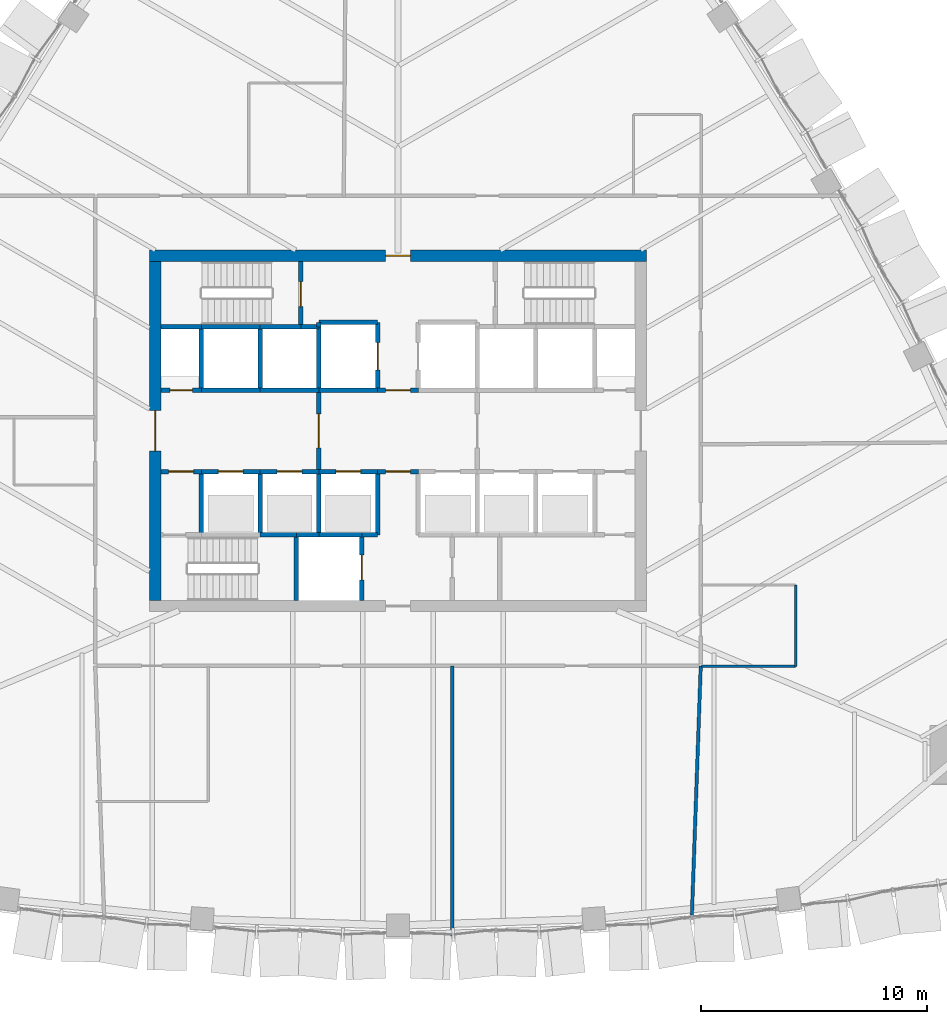
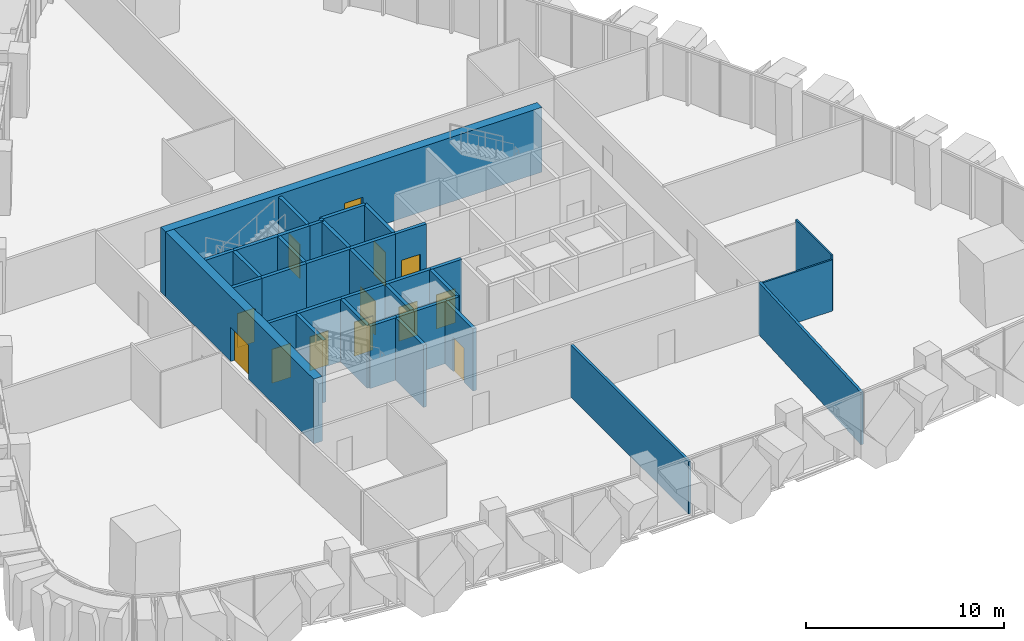
# One storey, part 12 of 18: 38 walls, 13 doors, 13 openings.
"""IFC4 building model written with IfcOpenShell, lengths in metres."""

import ifcopenshell
import ifcopenshell.guid

model = None  # the IFC model being written
_history = None  # IfcOwnerHistory: only IFC2X3 demands one
_inside = {}  # id of a spatial element -> (the spatial element, [elements in it])
_under = {}  # id of a project, library or spatial element -> (it, [spatial elements below it])
_declared = {}  # id of a project -> (the project, [libraries it declares])
_typed = {}  # id of a type object -> (the type object, [elements of that type])
_made_of = {}  # id of a material, layer set ... -> (it, [elements and type objects made of it])


def new_model(schema):
    """Start an empty IFC model of exactly this schema.

    Asked for "IFC4X3", IfcOpenShell would pick the latest addendum, in which some entities
    have other attributes; the version numbers below select the first issue.
    IFC2X3 requires an IfcOwnerHistory on every rooted entity: one is made here for all.
    """
    global model, _history
    if schema == "IFC4X3":
        model = ifcopenshell.file(schema_version=(4, 3, 0, 0))
    else:
        model = ifcopenshell.file(schema=schema)
    _inside.clear()
    _under.clear()
    _declared.clear()
    _typed.clear()
    _made_of.clear()
    _history = None
    if model.schema == "IFC2X3":
        org = make("IfcOrganization", Name="unknown")
        user = make(
            "IfcPersonAndOrganization",
            ThePerson=make("IfcPerson", FamilyName="unknown"),
            TheOrganization=org,
        )
        app = make(
            "IfcApplication",
            ApplicationDeveloper=org,
            Version="unknown",
            ApplicationFullName="unknown",
            ApplicationIdentifier="unknown",
        )
        _history = make(
            "IfcOwnerHistory",
            OwningUser=user,
            OwningApplication=app,
            ChangeAction="ADDED",
            CreationDate=0,
        )
    return model


def make(cls, **values):
    """One entity of the class cls with the attributes given. An attribute that is None is left unset."""
    return model.create_entity(
        cls, **{name: value for name, value in values.items() if value is not None}
    )


def rooted(cls, **values):
    """An entity with a GlobalId (a new one), such as an element, a storey or a relation."""
    return make(cls, GlobalId=ifcopenshell.guid.new(), OwnerHistory=_history, **values)


def si_unit(unit_type, name, prefix=None):
    """IfcSIUnit, for example si_unit("LENGTHUNIT", "METRE", prefix="MILLI")."""
    return make("IfcSIUnit", UnitType=unit_type, Prefix=prefix, Name=name)


def assignment(units):
    """IfcUnitAssignment: the units of a project."""
    return None if units is None else make("IfcUnitAssignment", Units=units)


def point(xyz):
    """IfcCartesianPoint."""
    return None if xyz is None else make("IfcCartesianPoint", Coordinates=xyz)


def direction(xyz):
    """IfcDirection."""
    return None if xyz is None else make("IfcDirection", DirectionRatios=xyz)


def frame(location, z_axis=None, x_axis=None):
    """IfcAxis2Placement3D, a coordinate frame: its origin and axes. An axis left out is left unset."""
    return make(
        "IfcAxis2Placement3D",
        Location=point(location),
        Axis=direction(z_axis),
        RefDirection=direction(x_axis),
    )


def frame_2d(location, x_axis=None):
    """IfcAxis2Placement2D, a coordinate frame in the plane: its origin and x axis."""
    return make(
        "IfcAxis2Placement2D", Location=point(location), RefDirection=direction(x_axis)
    )


def origin():
    """The frame at (0, 0, 0) with its axes left unset."""
    return frame((0.0, 0.0, 0.0))


def place(relative_to, where):
    """IfcLocalPlacement: puts the frame where relative to a parent placement (None: the world)."""
    return make(
        "IfcLocalPlacement", PlacementRelTo=relative_to, RelativePlacement=where
    )


def context(
    kind, dimensions, precision=None, world=None, true_north=None, identifier=None
):
    """IfcGeometricRepresentationContext, for example the 3D "Model" context."""
    return make(
        "IfcGeometricRepresentationContext",
        ContextIdentifier=identifier,
        ContextType=kind,
        CoordinateSpaceDimension=dimensions,
        Precision=precision,
        WorldCoordinateSystem=world,
        TrueNorth=true_north,
    )


def subcontext(parent, identifier, kind, view, scale=None):
    """IfcGeometricRepresentationSubContext, for example "Body" below "Model"."""
    return make(
        "IfcGeometricRepresentationSubContext",
        ContextIdentifier=identifier,
        ContextType=kind,
        ParentContext=parent,
        TargetScale=scale,
        TargetView=view,
    )


def project(units=None, contexts=None):
    """IfcProject with its units and contexts."""
    return rooted(
        "IfcProject",
        Name="project",
        RepresentationContexts=contexts,
        UnitsInContext=assignment(units),
    )


def spatial(cls, under=None, at=None, **own):
    """A site, building, storey or space (cls), placed at a placement, below another one or the project."""
    s = rooted(cls, ObjectPlacement=at, **own)
    if under is not None:
        _under.setdefault(under.id(), (under, []))[1].append(s)
    return s


def profile(cls, at=None, kind="AREA", **sizes):
    """A parametric profile (cls). Its sizes go by their IFC names, for example OverallWidth=200.0."""
    return make(cls, ProfileType=kind, Position=at, **sizes)


def rectangle(**sizes):
    """IfcRectangleProfileDef."""
    return profile("IfcRectangleProfileDef", **sizes)


def extrude(swept, where, along, depth):
    """IfcExtrudedAreaSolid: the profile swept, set in the frame where, extruded along a direction by depth."""
    return make(
        "IfcExtrudedAreaSolid",
        SweptArea=swept,
        Position=where,
        ExtrudedDirection=direction(along),
        Depth=depth,
    )


def shape(context_of_items, identifier, shape_type, items):
    """IfcShapeRepresentation: the items that make up one representation, for example the "Body"."""
    return make(
        "IfcShapeRepresentation",
        ContextOfItems=context_of_items,
        RepresentationIdentifier=identifier,
        RepresentationType=shape_type,
        Items=items,
    )


def material(Name=None, Category=None):
    """IfcMaterial."""
    return make("IfcMaterial", Name=Name, Category=Category)


def layer(
    of_material, thickness, ventilated=None, Name=None, Category=None, Priority=None
):
    """IfcMaterialLayer: one layer of a wall or slab, of a material (None: an air gap)."""
    return make(
        "IfcMaterialLayer",
        Material=of_material,
        LayerThickness=thickness,
        IsVentilated=ventilated,
        Name=Name,
        Category=Category,
        Priority=Priority,
    )


def layer_set(layers, Name=None):
    """IfcMaterialLayerSet."""
    return make("IfcMaterialLayerSet", MaterialLayers=layers, LayerSetName=Name)


def made_of(thing, what):
    """Note that an element or type object is made of a material, layer set ...; save() writes the relation."""
    if what is not None:
        _made_of.setdefault(what.id(), (what, []))[1].append(thing)
    return thing


def type_object(cls, material=None, **own):
    """A type object (cls), such as IfcWallType, which elements share."""
    return made_of(rooted(cls, **own), material)


def element(
    cls,
    number,
    at=None,
    inside=None,
    cuts=None,
    type_object=None,
    material=None,
    context=None,
    identifier="Body",
    shape_type=None,
    held_by="IfcProductDefinitionShape",
    body=None,
    shapes=None,
    **own,
):
    """One element of the class cls, such as IfcWall. Its Tag is "e" and its number.

    at: its placement. inside: the storey or other place that contains it. cuts: it is an
    opening in that element (IfcRelVoidsElement). A single representation is given by context,
    identifier, shape_type and body (its items); several are given by shapes. held_by: the class
    of the entity that holds the representations. save() writes the other relations.
    """
    e = rooted(cls, Tag="e%d" % number, ObjectPlacement=at, **own)
    if body is not None:
        shapes = [shape(context, identifier, shape_type, body)]
    if shapes is not None:
        e.Representation = make(held_by, Representations=shapes)
    if inside is not None:
        _inside.setdefault(inside.id(), (inside, []))[1].append(e)
    if cuts is not None:
        rooted(
            "IfcRelVoidsElement", RelatingBuildingElement=cuts, RelatedOpeningElement=e
        )
    if type_object is not None:
        _typed.setdefault(type_object.id(), (type_object, []))[1].append(e)
    return made_of(e, material)


def fill(opening, filler):
    """IfcRelFillsElement: the door or window that sits in an opening."""
    return rooted(
        "IfcRelFillsElement",
        RelatingOpeningElement=opening,
        RelatedBuildingElement=filler,
    )


def aggregate(whole, parts):
    """IfcRelAggregates: a whole, such as a stair, and the parts it consists of."""
    return rooted("IfcRelAggregates", RelatingObject=whole, RelatedObjects=parts)


def save(model, path):
    """Write the relations noted so far, then the file.

    IfcRelAggregates (storeys below a building ...), IfcRelContainedInSpatialStructure (elements
    in a storey), IfcRelDefinesByType, IfcRelAssociatesMaterial and IfcRelDeclares: one each for
    every whole, place, type object, material and project.
    """
    for whole, parts in _under.values():
        aggregate(whole, parts)
    for where, things in _inside.values():
        rooted(
            "IfcRelContainedInSpatialStructure",
            RelatedElements=things,
            RelatingStructure=where,
        )
    for kind, things in _typed.values():
        rooted("IfcRelDefinesByType", RelatedObjects=things, RelatingType=kind)
    for what, things in _made_of.values():
        rooted("IfcRelAssociatesMaterial", RelatedObjects=things, RelatingMaterial=what)
    for by, libraries in _declared.values():
        rooted("IfcRelDeclares", RelatingContext=by, RelatedDefinitions=libraries)
    model.write(path)


model = new_model("IFC4")

# Units and contexts
model_context = context("Model", 3, precision=1e-05, world=origin(), true_north=direction((0.0, 1.0)))
body_context = subcontext(model_context, "Body", "Model", "MODEL_VIEW")
ifc_project = project(units=[si_unit("LENGTHUNIT", "METRE"), si_unit("AREAUNIT", "SQUARE_METRE"), si_unit("VOLUMEUNIT", "CUBIC_METRE"), si_unit("PLANEANGLEUNIT", "RADIAN"), si_unit("MASSUNIT", "GRAM", prefix="KILO")], contexts=[model_context])

# Site, building, storey
site_placement = place(None, origin())
site = spatial("IfcSite", under=ifc_project, at=site_placement, CompositionType="ELEMENT")
building_placement = place(site_placement, origin())
building = spatial("IfcBuilding", under=site, at=building_placement, Name="Sierra Prisma Convention Tower", CompositionType="ELEMENT")
storey_placement = place(building_placement, frame((0.0, 0.0, 133.800048828125)))
storey = spatial("IfcBuildingStorey", under=building, at=storey_placement, Name="L28", CompositionType="ELEMENT", Elevation=133.800048828125)

# Walls
ifc_material_1 = material(Name="Gypsum board partition", Category="gypsum")
ifc_layer_1 = layer(ifc_material_1, 0.10009765625)
ifc_layer_set_1 = layer_set([ifc_layer_1], Name="Bathroom partition 100")
wall_type_1 = type_object("IfcWallType", Name="Bathroom partition 100", PredefinedType="PARTITIONING", material=ifc_layer_set_1)
wall_1_placement = place(storey_placement, frame((17.60009765625, -6.820068359375, 0.0), z_axis=(0.0, 0.0, 1.0), x_axis=(0.0, -1.0, 0.0)))
element("IfcWall", 1, at=wall_1_placement, inside=storey, type_object=wall_type_1, Name="Partition L28 bath 11", PredefinedType="PARTITIONING", context=body_context, shape_type="SweptSolid", body=[
    extrude(rectangle(XDim=3.599853515625, YDim=0.10009765625, at=frame_2d((1.7998046875, 0.0))), origin(), (0.0, 0.0, 1.0), 3.449951171875),
])
wall_2_placement = place(storey_placement, frame((17.60009765625, -10.419921875, 0.0), z_axis=(0.0, 0.0, 1.0), x_axis=(-1.0, 0.0, 0.0)))
element("IfcWall", 2, at=wall_2_placement, inside=storey, type_object=wall_type_1, Name="Partition L28 bath 12", PredefinedType="PARTITIONING", context=body_context, shape_type="SweptSolid", body=[
    extrude(rectangle(XDim=4.170166015625, YDim=0.10009765625, at=frame_2d((2.0849609375, 0.0))), origin(), (0.0, 0.0, 1.0), 3.166015625),
])

# Wall, opening, door
ifc_material_2 = material(Name="Concrete C30/37", Category="concrete")
ifc_layer_2 = layer(ifc_material_2, 0.199951171875)
ifc_layer_set_2 = layer_set([ifc_layer_2], Name="Core wall RC 200 C30/37")
wall_type_2 = type_object("IfcWallType", Name="Core wall RC 200 C30/37", PredefinedType="SOLIDWALL", material=ifc_layer_set_2)
wall_3_placement = place(storey_placement, frame((-10.5, -1.800048828125, 0.0), z_axis=(0.0, 0.0, 1.0), x_axis=(1.0, 0.0, 0.0)))
wall_3 = element("IfcWall", 3, at=wall_3_placement, inside=storey, type_object=wall_type_2, Name="Core wall L28 2", PredefinedType="SOLIDWALL", context=body_context, shape_type="SweptSolid", body=[
    extrude(rectangle(XDim=1.800048828125, YDim=0.199951171875, at=frame_2d((0.89990234375, 0.0))), origin(), (0.0, 0.0, 1.0), 3.849853515625),
])
opening_1_placement = place(wall_3_placement, frame((0.35009765625, 0.0, 0.0)))
opening_1 = element("IfcOpeningElement", 4, at=opening_1_placement, cuts=wall_3, Name="Opening L28-D012", PredefinedType="OPENING", context=body_context, shape_type="SweptSolid", body=[
    extrude(rectangle(XDim=1.10009765625, YDim=2.10009765625, at=frame_2d((0.550048828125, 1.050048828125))), frame((0.0, 0.10009765625, 0.0), z_axis=(0.0, -1.0, 0.0), x_axis=(1.0, 0.0, 0.0)), (0.0, 0.0, 1.0), 0.199951171875),
])
ifc_material_3 = material(Name="Steel fire door leaf", Category="steel")
door_type_1 = type_object("IfcDoorType", Name="Door 1100x2100 FD90S", OperationType="SINGLE_SWING_LEFT", PredefinedType="DOOR", material=ifc_material_3)
door_1_placement = place(opening_1_placement, origin())
door_1 = element("IfcDoor", 5, at=door_1_placement, inside=storey, type_object=door_type_1, Name="Door L28 25", OperationType="SINGLE_SWING_LEFT", OverallHeight=2.10009765625, OverallWidth=1.10009765625, PredefinedType="DOOR", context=body_context, shape_type="SweptSolid", body=[
    extrude(rectangle(XDim=1.10009765625, YDim=2.10009765625, at=frame_2d((0.550048828125, 1.050048828125))), frame((0.0, 0.02490234375, 0.0), z_axis=(0.0, -1.0, 0.0), x_axis=(1.0, 0.0, 0.0)), (0.0, 0.0, 1.0), 0.050048828125),
])
fill(opening_1, door_1)

wall_4_placement = place(storey_placement, frame((-8.699951171875, 1.800048828125, 0.0), z_axis=(0.0, 0.0, 1.0), x_axis=(-1.0, 0.0, 0.0)))
wall_4 = element("IfcWall", 6, at=wall_4_placement, inside=storey, type_object=wall_type_2, Name="Core wall L28 3", PredefinedType="SOLIDWALL", context=body_context, shape_type="SweptSolid", body=[
    extrude(rectangle(XDim=1.800048828125, YDim=0.199951171875, at=frame_2d((0.89990234375, 0.0))), origin(), (0.0, 0.0, 1.0), 3.849853515625),
])
opening_2_placement = place(wall_4_placement, frame((0.39990234375, 0.0, 0.0)))
opening_2 = element("IfcOpeningElement", 7, at=opening_2_placement, cuts=wall_4, Name="Opening L28-D015", PredefinedType="OPENING", context=body_context, shape_type="SweptSolid", body=[
    extrude(rectangle(XDim=1.0, YDim=2.10009765625, at=frame_2d((0.5, 1.050048828125))), frame((0.0, 0.10009765625, 0.0), z_axis=(0.0, -1.0, 0.0), x_axis=(1.0, 0.0, 0.0)), (0.0, 0.0, 1.0), 0.199951171875),
])
ifc_material_4 = material(Name="Steel fire door leaf", Category="steel")
door_type_2 = type_object("IfcDoorType", Name="Door 1000x2100 FD60S", OperationType="SINGLE_SWING_LEFT", PredefinedType="DOOR", material=ifc_material_4)
door_2_placement = place(opening_2_placement, origin())
door_2 = element("IfcDoor", 8, at=door_2_placement, inside=storey, type_object=door_type_2, Name="Door L28 28", OperationType="SINGLE_SWING_LEFT", OverallHeight=2.10009765625, OverallWidth=1.0, PredefinedType="DOOR", context=body_context, shape_type="SweptSolid", body=[
    extrude(rectangle(XDim=1.0, YDim=2.10009765625, at=frame_2d((0.5, 1.050048828125))), frame((0.0, 0.02490234375, 0.0), z_axis=(0.0, -1.0, 0.0), x_axis=(1.0, 0.0, 0.0)), (0.0, 0.0, 1.0), 0.050048828125),
])
fill(opening_2, door_2)

# Walls
wall_5_placement = place(storey_placement, frame((-8.699951171875, 4.60009765625, 0.0), z_axis=(0.0, 0.0, 1.0), x_axis=(-1.0, 0.0, 0.0)))
element("IfcWall", 9, at=wall_5_placement, inside=storey, type_object=wall_type_2, Name="Core wall L28 4", PredefinedType="SOLIDWALL", context=body_context, shape_type="SweptSolid", body=[
    extrude(rectangle(XDim=1.800048828125, YDim=0.199951171875, at=frame_2d((0.89990234375, 0.0))), origin(), (0.0, 0.0, 1.0), 3.849853515625),
])
wall_6_placement = place(storey_placement, frame((-8.699951171875, -4.60009765625, 0.0), z_axis=(0.0, 0.0, 1.0), x_axis=(0.0, 1.0, 0.0)))
element("IfcWall", 10, at=wall_6_placement, inside=storey, type_object=wall_type_2, Name="Core wall L28 6", PredefinedType="SOLIDWALL", context=body_context, shape_type="SweptSolid", body=[
    extrude(rectangle(XDim=2.800048828125, YDim=0.199951171875, at=frame_2d((1.39990234375, 0.0))), origin(), (0.0, 0.0, 1.0), 3.849853515625),
])

# Wall, opening, door
wall_7_placement = place(storey_placement, frame((-8.699951171875, -1.800048828125, 0.0), z_axis=(0.0, 0.0, 1.0), x_axis=(1.0, 0.0, 0.0)))
wall_7 = element("IfcWall", 11, at=wall_7_placement, inside=storey, type_object=wall_type_2, Name="Core wall L28 7", PredefinedType="SOLIDWALL", context=body_context, shape_type="SweptSolid", body=[
    extrude(rectangle(XDim=2.599853515625, YDim=0.199951171875, at=frame_2d((1.2998046875, 0.0))), origin(), (0.0, 0.0, 1.0), 3.849853515625),
])
opening_3_placement = place(wall_7_placement, frame((0.75, 0.0, 0.0)))
opening_3 = element("IfcOpeningElement", 12, at=opening_3_placement, cuts=wall_7, Name="Opening L28-D001", PredefinedType="OPENING", context=body_context, shape_type="SweptSolid", body=[
    extrude(rectangle(XDim=1.10009765625, YDim=2.10009765625, at=frame_2d((0.550048828125, 1.050048828125))), frame((0.0, 0.10009765625, 0.0), z_axis=(0.0, -1.0, 0.0), x_axis=(1.0, 0.0, 0.0)), (0.0, 0.0, 1.0), 0.199951171875),
])
ifc_material_5 = material(Name="Steel fire door leaf", Category="steel")
door_type_3 = type_object("IfcDoorType", Name="Door 1100x2100 EI 90 sliding lift landing", OperationType="SLIDING_TO_LEFT", PredefinedType="DOOR", material=ifc_material_5)
door_3_placement = place(opening_3_placement, origin())
door_3 = element("IfcDoor", 13, at=door_3_placement, inside=storey, type_object=door_type_3, Name="Door L28 14", OperationType="SLIDING_TO_RIGHT", OverallHeight=2.10009765625, OverallWidth=1.10009765625, PredefinedType="DOOR", context=body_context, shape_type="SweptSolid", body=[
    extrude(rectangle(XDim=1.10009765625, YDim=2.10009765625, at=frame_2d((0.550048828125, 1.050048828125))), frame((0.0, 0.02490234375, 0.0), z_axis=(0.0, -1.0, 0.0), x_axis=(1.0, 0.0, 0.0)), (0.0, 0.0, 1.0), 0.050048828125),
])
fill(opening_3, door_3)

# Walls
wall_8_placement = place(storey_placement, frame((-6.10009765625, 1.800048828125, 0.0), z_axis=(0.0, 0.0, 1.0), x_axis=(-1.0, 0.0, 0.0)))
element("IfcWall", 14, at=wall_8_placement, inside=storey, type_object=wall_type_2, Name="Core wall L28 8", PredefinedType="SOLIDWALL", context=body_context, shape_type="SweptSolid", body=[
    extrude(rectangle(XDim=2.599853515625, YDim=0.199951171875, at=frame_2d((1.2998046875, 0.0))), origin(), (0.0, 0.0, 1.0), 3.849853515625),
])
wall_9_placement = place(storey_placement, frame((-8.699951171875, 1.800048828125, 0.0), z_axis=(0.0, 0.0, 1.0), x_axis=(0.0, 1.0, 0.0)))
element("IfcWall", 15, at=wall_9_placement, inside=storey, type_object=wall_type_2, Name="Core wall L28 9", PredefinedType="SOLIDWALL", context=body_context, shape_type="SweptSolid", body=[
    extrude(rectangle(XDim=2.800048828125, YDim=0.199951171875, at=frame_2d((1.39990234375, 0.0))), origin(), (0.0, 0.0, 1.0), 3.849853515625),
])
wall_10_placement = place(storey_placement, frame((-6.10009765625, 4.60009765625, 0.0), z_axis=(0.0, 0.0, 1.0), x_axis=(-1.0, 0.0, 0.0)))
element("IfcWall", 16, at=wall_10_placement, inside=storey, type_object=wall_type_2, Name="Core wall L28 10", PredefinedType="SOLIDWALL", context=body_context, shape_type="SweptSolid", body=[
    extrude(rectangle(XDim=2.599853515625, YDim=0.199951171875, at=frame_2d((1.2998046875, 0.0))), origin(), (0.0, 0.0, 1.0), 3.849853515625),
])
wall_11_placement = place(storey_placement, frame((-6.10009765625, -4.60009765625, 0.0), z_axis=(0.0, 0.0, 1.0), x_axis=(1.0, 0.0, 0.0)))
element("IfcWall", 17, at=wall_11_placement, inside=storey, type_object=wall_type_2, Name="Core wall L28 11", PredefinedType="SOLIDWALL", context=body_context, shape_type="SweptSolid", body=[
    extrude(rectangle(XDim=1.60009765625, YDim=0.199951171875, at=frame_2d((0.800048828125, 0.0))), origin(), (0.0, 0.0, 1.0), 3.849853515625),
])
wall_12_placement = place(storey_placement, frame((-6.10009765625, -4.60009765625, 0.0), z_axis=(0.0, 0.0, 1.0), x_axis=(0.0, 1.0, 0.0)))
element("IfcWall", 18, at=wall_12_placement, inside=storey, type_object=wall_type_2, Name="Core wall L28 12", PredefinedType="SOLIDWALL", context=body_context, shape_type="SweptSolid", body=[
    extrude(rectangle(XDim=2.800048828125, YDim=0.199951171875, at=frame_2d((1.39990234375, 0.0))), origin(), (0.0, 0.0, 1.0), 3.849853515625),
])

# Wall, opening, door
wall_13_placement = place(storey_placement, frame((-6.10009765625, -1.800048828125, 0.0), z_axis=(0.0, 0.0, 1.0), x_axis=(1.0, 0.0, 0.0)))
wall_13 = element("IfcWall", 19, at=wall_13_placement, inside=storey, type_object=wall_type_2, Name="Core wall L28 13", PredefinedType="SOLIDWALL", context=body_context, shape_type="SweptSolid", body=[
    extrude(rectangle(XDim=2.60009765625, YDim=0.199951171875, at=frame_2d((1.300048828125, 0.0))), origin(), (0.0, 0.0, 1.0), 3.849853515625),
])
opening_4_placement = place(wall_13_placement, frame((0.75, 0.0, 0.0)))
opening_4 = element("IfcOpeningElement", 20, at=opening_4_placement, cuts=wall_13, Name="Opening L28-D002", PredefinedType="OPENING", context=body_context, shape_type="SweptSolid", body=[
    extrude(rectangle(XDim=1.10009765625, YDim=2.10009765625, at=frame_2d((0.550048828125, 1.050048828125))), frame((0.0, 0.10009765625, 0.0), z_axis=(0.0, -1.0, 0.0), x_axis=(1.0, 0.0, 0.0)), (0.0, 0.0, 1.0), 0.199951171875),
])
door_4_placement = place(opening_4_placement, origin())
door_4 = element("IfcDoor", 21, at=door_4_placement, inside=storey, type_object=door_type_3, Name="Door L28 15", OperationType="SLIDING_TO_LEFT", OverallHeight=2.10009765625, OverallWidth=1.10009765625, PredefinedType="DOOR", context=body_context, shape_type="SweptSolid", body=[
    extrude(rectangle(XDim=1.10009765625, YDim=2.10009765625, at=frame_2d((0.550048828125, 1.050048828125))), frame((0.0, 0.02490234375, 0.0), z_axis=(0.0, -1.0, 0.0), x_axis=(1.0, 0.0, 0.0)), (0.0, 0.0, 1.0), 0.050048828125),
])
fill(opening_4, door_4)

# Walls
wall_14_placement = place(storey_placement, frame((-3.5, 1.800048828125, 0.0), z_axis=(0.0, 0.0, 1.0), x_axis=(-1.0, 0.0, 0.0)))
element("IfcWall", 22, at=wall_14_placement, inside=storey, type_object=wall_type_2, Name="Core wall L28 14", PredefinedType="SOLIDWALL", context=body_context, shape_type="SweptSolid", body=[
    extrude(rectangle(XDim=2.60009765625, YDim=0.199951171875, at=frame_2d((1.300048828125, 0.0))), origin(), (0.0, 0.0, 1.0), 3.849853515625),
])
wall_15_placement = place(storey_placement, frame((-6.10009765625, 1.800048828125, 0.0), z_axis=(0.0, 0.0, 1.0), x_axis=(0.0, 1.0, 0.0)))
element("IfcWall", 23, at=wall_15_placement, inside=storey, type_object=wall_type_2, Name="Core wall L28 15", PredefinedType="SOLIDWALL", context=body_context, shape_type="SweptSolid", body=[
    extrude(rectangle(XDim=2.800048828125, YDim=0.199951171875, at=frame_2d((1.39990234375, 0.0))), origin(), (0.0, 0.0, 1.0), 3.849853515625),
])
wall_16_placement = place(storey_placement, frame((-4.300048828125, 4.60009765625, 0.0), z_axis=(0.0, 0.0, 1.0), x_axis=(-1.0, 0.0, 0.0)))
element("IfcWall", 24, at=wall_16_placement, inside=storey, type_object=wall_type_2, Name="Core wall L28 16", PredefinedType="SOLIDWALL", context=body_context, shape_type="SweptSolid", body=[
    extrude(rectangle(XDim=1.800048828125, YDim=0.199951171875, at=frame_2d((0.89990234375, 0.0))), origin(), (0.0, 0.0, 1.0), 3.849853515625),
])
wall_17_placement = place(storey_placement, frame((-4.5, -4.60009765625, 0.0), z_axis=(0.0, 0.0, 1.0), x_axis=(0.0, -1.0, 0.0)))
element("IfcWall", 25, at=wall_17_placement, inside=storey, type_object=wall_type_2, Name="Core wall L28 17", PredefinedType="SOLIDWALL", context=body_context, shape_type="SweptSolid", body=[
    extrude(rectangle(XDim=2.89990234375, YDim=0.199951171875, at=frame_2d((1.449951171875, 0.0))), origin(), (0.0, 0.0, 1.0), 3.849853515625),
])
wall_18_placement = place(storey_placement, frame((-4.5, -4.60009765625, 0.0), z_axis=(0.0, 0.0, 1.0), x_axis=(1.0, 0.0, 0.0)))
element("IfcWall", 26, at=wall_18_placement, inside=storey, type_object=wall_type_2, Name="Core wall L28 18", PredefinedType="SOLIDWALL", context=body_context, shape_type="SweptSolid", body=[
    extrude(rectangle(XDim=1.0, YDim=0.199951171875, at=frame_2d((0.5, 0.0))), origin(), (0.0, 0.0, 1.0), 3.849853515625),
])
wall_19_placement = place(storey_placement, frame((-3.5, 4.60009765625, 0.0), z_axis=(0.0, 0.0, 1.0), x_axis=(-1.0, 0.0, 0.0)))
element("IfcWall", 27, at=wall_19_placement, inside=storey, type_object=wall_type_2, Name="Core wall L28 19", PredefinedType="SOLIDWALL", context=body_context, shape_type="SweptSolid", body=[
    extrude(rectangle(XDim=0.800048828125, YDim=0.199951171875, at=frame_2d((0.39990234375, 0.0))), origin(), (0.0, 0.0, 1.0), 3.849853515625),
])

# Wall, opening, door
wall_20_placement = place(storey_placement, frame((-4.300048828125, 4.60009765625, 0.0), z_axis=(0.0, 0.0, 1.0), x_axis=(0.0, 1.0, 0.0)))
wall_20 = element("IfcWall", 28, at=wall_20_placement, inside=storey, type_object=wall_type_2, Name="Core wall L28 20", PredefinedType="SOLIDWALL", context=body_context, shape_type="SweptSolid", body=[
    extrude(rectangle(XDim=2.89990234375, YDim=0.199951171875, at=frame_2d((1.449951171875, 0.0))), origin(), (0.0, 0.0, 1.0), 3.849853515625),
])
opening_5_placement = place(wall_20_placement, frame((0.89990234375, 0.0, 0.0)))
opening_5 = element("IfcOpeningElement", 29, at=opening_5_placement, cuts=wall_20, Name="Opening L28-D018", PredefinedType="OPENING", context=body_context, shape_type="SweptSolid", body=[
    extrude(rectangle(XDim=1.10009765625, YDim=2.10009765625, at=frame_2d((0.550048828125, 1.050048828125))), frame((0.0, 0.10009765625, 0.0), z_axis=(0.0, -1.0, 0.0), x_axis=(1.0, 0.0, 0.0)), (0.0, 0.0, 1.0), 0.199951171875),
])
door_5_placement = place(opening_5_placement, origin())
door_5 = element("IfcDoor", 30, at=door_5_placement, inside=storey, type_object=door_type_1, Name="Door L28 31", OperationType="SINGLE_SWING_RIGHT", OverallHeight=2.10009765625, OverallWidth=1.10009765625, PredefinedType="DOOR", context=body_context, shape_type="SweptSolid", body=[
    extrude(rectangle(XDim=1.10009765625, YDim=2.10009765625, at=frame_2d((0.550048828125, 1.050048828125))), frame((0.0, 0.02490234375, 0.0), z_axis=(0.0, -1.0, 0.0), x_axis=(1.0, 0.0, 0.0)), (0.0, 0.0, 1.0), 0.050048828125),
])
fill(opening_5, door_5)

# Walls
wall_21_placement = place(storey_placement, frame((-3.5, -4.60009765625, 0.0), z_axis=(0.0, 0.0, 1.0), x_axis=(1.0, 0.0, 0.0)))
element("IfcWall", 31, at=wall_21_placement, inside=storey, type_object=wall_type_2, Name="Core wall L28 21", PredefinedType="SOLIDWALL", context=body_context, shape_type="SweptSolid", body=[
    extrude(rectangle(XDim=1.89990234375, YDim=0.199951171875, at=frame_2d((0.949951171875, 0.0))), origin(), (0.0, 0.0, 1.0), 3.849853515625),
])
wall_22_placement = place(storey_placement, frame((-3.5, -4.60009765625, 0.0), z_axis=(0.0, 0.0, 1.0), x_axis=(0.0, 1.0, 0.0)))
element("IfcWall", 32, at=wall_22_placement, inside=storey, type_object=wall_type_2, Name="Core wall L28 22", PredefinedType="SOLIDWALL", context=body_context, shape_type="SweptSolid", body=[
    extrude(rectangle(XDim=2.800048828125, YDim=0.199951171875, at=frame_2d((1.39990234375, 0.0))), origin(), (0.0, 0.0, 1.0), 3.849853515625),
])

# Wall, opening, door
wall_23_placement = place(storey_placement, frame((-3.5, -1.800048828125, 0.0), z_axis=(0.0, 0.0, 1.0), x_axis=(1.0, 0.0, 0.0)))
wall_23 = element("IfcWall", 33, at=wall_23_placement, inside=storey, type_object=wall_type_2, Name="Core wall L28 23", PredefinedType="SOLIDWALL", context=body_context, shape_type="SweptSolid", body=[
    extrude(rectangle(XDim=2.60009765625, YDim=0.199951171875, at=frame_2d((1.300048828125, 0.0))), origin(), (0.0, 0.0, 1.0), 3.849853515625),
])
opening_6_placement = place(wall_23_placement, frame((0.75, 0.0, 0.0)))
opening_6 = element("IfcOpeningElement", 34, at=opening_6_placement, cuts=wall_23, Name="Opening L28-D003", PredefinedType="OPENING", context=body_context, shape_type="SweptSolid", body=[
    extrude(rectangle(XDim=1.10009765625, YDim=2.10009765625, at=frame_2d((0.550048828125, 1.050048828125))), frame((0.0, 0.10009765625, 0.0), z_axis=(0.0, -1.0, 0.0), x_axis=(1.0, 0.0, 0.0)), (0.0, 0.0, 1.0), 0.199951171875),
])
door_6_placement = place(opening_6_placement, origin())
door_6 = element("IfcDoor", 35, at=door_6_placement, inside=storey, type_object=door_type_3, Name="Door L28 16", OperationType="SLIDING_TO_LEFT", OverallHeight=2.10009765625, OverallWidth=1.10009765625, PredefinedType="DOOR", context=body_context, shape_type="SweptSolid", body=[
    extrude(rectangle(XDim=1.10009765625, YDim=2.10009765625, at=frame_2d((0.550048828125, 1.050048828125))), frame((0.0, 0.02490234375, 0.0), z_axis=(0.0, -1.0, 0.0), x_axis=(1.0, 0.0, 0.0)), (0.0, 0.0, 1.0), 0.050048828125),
])
fill(opening_6, door_6)

wall_24_placement = place(storey_placement, frame((-3.5, 1.800048828125, 0.0), z_axis=(0.0, 0.0, 1.0), x_axis=(0.0, -1.0, 0.0)))
wall_24 = element("IfcWall", 36, at=wall_24_placement, inside=storey, type_object=wall_type_2, Name="Core wall L28 24", PredefinedType="SOLIDWALL", context=body_context, shape_type="SweptSolid", body=[
    extrude(rectangle(XDim=3.60009765625, YDim=0.199951171875, at=frame_2d((1.800048828125, 0.0))), origin(), (0.0, 0.0, 1.0), 3.849853515625),
])
opening_7_placement = place(wall_24_placement, frame((1.050048828125, 0.0, 0.0)))
opening_7 = element("IfcOpeningElement", 37, at=opening_7_placement, cuts=wall_24, Name="Opening L28-D010", PredefinedType="OPENING", context=body_context, shape_type="SweptSolid", body=[
    extrude(rectangle(XDim=1.5, YDim=2.10009765625, at=frame_2d((0.75, 1.050048828125))), frame((0.0, 0.10009765625, 0.0), z_axis=(0.0, -1.0, 0.0), x_axis=(1.0, 0.0, 0.0)), (0.0, 0.0, 1.0), 0.199951171875),
])
ifc_material_6 = material(Name="Steel fire door leaf", Category="steel")
door_type_4 = type_object("IfcDoorType", Name="Door 1500x2100 FD30S", OperationType="DOUBLE_DOOR_SINGLE_SWING", PredefinedType="DOOR", material=ifc_material_6)
door_7_placement = place(opening_7_placement, origin())
door_7 = element("IfcDoor", 38, at=door_7_placement, inside=storey, type_object=door_type_4, Name="Door L28 23", OperationType="DOUBLE_DOOR_SINGLE_SWING", OverallHeight=2.10009765625, OverallWidth=1.5, PredefinedType="DOOR", context=body_context, shape_type="SweptSolid", body=[
    extrude(rectangle(XDim=1.5, YDim=2.10009765625, at=frame_2d((0.75, 1.050048828125))), frame((0.0, 0.02490234375, 0.0), z_axis=(0.0, -1.0, 0.0), x_axis=(1.0, 0.0, 0.0)), (0.0, 0.0, 1.0), 0.050048828125),
])
fill(opening_7, door_7)

# Walls
wall_25_placement = place(storey_placement, frame((-0.89990234375, 1.800048828125, 0.0), z_axis=(0.0, 0.0, 1.0), x_axis=(-1.0, 0.0, 0.0)))
element("IfcWall", 39, at=wall_25_placement, inside=storey, type_object=wall_type_2, Name="Core wall L28 25", PredefinedType="SOLIDWALL", context=body_context, shape_type="SweptSolid", body=[
    extrude(rectangle(XDim=2.60009765625, YDim=0.199951171875, at=frame_2d((1.300048828125, 0.0))), origin(), (0.0, 0.0, 1.0), 3.849853515625),
])
wall_26_placement = place(storey_placement, frame((-3.5, 4.60009765625, 0.0), z_axis=(0.0, 0.0, 1.0), x_axis=(0.0, -1.0, 0.0)))
element("IfcWall", 40, at=wall_26_placement, inside=storey, type_object=wall_type_2, Name="Core wall L28 26", PredefinedType="SOLIDWALL", context=body_context, shape_type="SweptSolid", body=[
    extrude(rectangle(XDim=2.800048828125, YDim=0.199951171875, at=frame_2d((1.39990234375, 0.0))), origin(), (0.0, 0.0, 1.0), 3.849853515625),
])

# Wall, opening, door
wall_27_placement = place(storey_placement, frame((-0.89990234375, 1.800048828125, 0.0), z_axis=(0.0, 0.0, 1.0), x_axis=(0.0, 1.0, 0.0)))
wall_27 = element("IfcWall", 41, at=wall_27_placement, inside=storey, type_object=wall_type_2, Name="Core wall L28 27", PredefinedType="SOLIDWALL", context=body_context, shape_type="SweptSolid", body=[
    extrude(rectangle(XDim=3.0, YDim=0.199951171875, at=frame_2d((1.5, 0.0))), origin(), (0.0, 0.0, 1.0), 3.849853515625),
])
opening_8_placement = place(wall_27_placement, frame((0.89990234375, 0.0, 0.0)))
opening_8 = element("IfcOpeningElement", 42, at=opening_8_placement, cuts=wall_27, Name="Opening L28-D007", PredefinedType="OPENING", context=body_context, shape_type="SweptSolid", body=[
    extrude(rectangle(XDim=1.199951171875, YDim=2.10009765625, at=frame_2d((0.60009765625, 1.050048828125))), frame((0.0, 0.10009765625, 0.0), z_axis=(0.0, -1.0, 0.0), x_axis=(1.0, 0.0, 0.0)), (0.0, 0.0, 1.0), 0.199951171875),
])
ifc_material_7 = material(Name="Steel fire door leaf", Category="steel")
door_type_5 = type_object("IfcDoorType", Name="Door 1200x2100 EI 90 sliding lift landing", OperationType="SLIDING_TO_LEFT", PredefinedType="DOOR", material=ifc_material_7)
door_8_placement = place(opening_8_placement, origin())
door_8 = element("IfcDoor", 43, at=door_8_placement, inside=storey, type_object=door_type_5, Name="Door L28 20", OperationType="SLIDING_TO_LEFT", OverallHeight=2.10009765625, OverallWidth=1.199951171875, PredefinedType="DOOR", context=body_context, shape_type="SweptSolid", body=[
    extrude(rectangle(XDim=1.199951171875, YDim=2.10009765625, at=frame_2d((0.60009765625, 1.050048828125))), frame((0.0, 0.02490234375, 0.0), z_axis=(0.0, -1.0, 0.0), x_axis=(1.0, 0.0, 0.0)), (0.0, 0.0, 1.0), 0.050048828125),
])
fill(opening_8, door_8)

# Walls
wall_28_placement = place(storey_placement, frame((-0.89990234375, 4.800048828125, 0.0), z_axis=(0.0, 0.0, 1.0), x_axis=(-1.0, 0.0, 0.0)))
element("IfcWall", 44, at=wall_28_placement, inside=storey, type_object=wall_type_2, Name="Core wall L28 28", PredefinedType="SOLIDWALL", context=body_context, shape_type="SweptSolid", body=[
    extrude(rectangle(XDim=2.60009765625, YDim=0.199951171875, at=frame_2d((1.300048828125, 0.0))), origin(), (0.0, 0.0, 1.0), 3.849853515625),
])
wall_29_placement = place(storey_placement, frame((-3.5, 4.800048828125, 0.0), z_axis=(0.0, 0.0, 1.0), x_axis=(0.0, -1.0, 0.0)))
element("IfcWall", 45, at=wall_29_placement, inside=storey, type_object=wall_type_2, Name="Core wall L28 29", PredefinedType="SOLIDWALL", context=body_context, shape_type="SweptSolid", body=[
    extrude(rectangle(XDim=0.199951171875, YDim=0.199951171875, at=frame_2d((0.10009765625, 0.0))), origin(), (0.0, 0.0, 1.0), 3.849853515625),
])

# Wall, opening, door
wall_30_placement = place(storey_placement, frame((-1.60009765625, -7.5, 0.0), z_axis=(0.0, 0.0, 1.0), x_axis=(0.0, 1.0, 0.0)))
wall_30 = element("IfcWall", 46, at=wall_30_placement, inside=storey, type_object=wall_type_2, Name="Core wall L28 30", PredefinedType="SOLIDWALL", context=body_context, shape_type="SweptSolid", body=[
    extrude(rectangle(XDim=2.89990234375, YDim=0.199951171875, at=frame_2d((1.449951171875, 0.0))), origin(), (0.0, 0.0, 1.0), 3.849853515625),
])
opening_9_placement = place(wall_30_placement, frame((0.89990234375, 0.0, 0.0)))
opening_9 = element("IfcOpeningElement", 47, at=opening_9_placement, cuts=wall_30, Name="Opening L28-D009", PredefinedType="OPENING", context=body_context, shape_type="SweptSolid", body=[
    extrude(rectangle(XDim=1.10009765625, YDim=2.10009765625, at=frame_2d((0.550048828125, 1.050048828125))), frame((0.0, 0.10009765625, 0.0), z_axis=(0.0, -1.0, 0.0), x_axis=(1.0, 0.0, 0.0)), (0.0, 0.0, 1.0), 0.199951171875),
])
door_9_placement = place(opening_9_placement, origin())
door_9 = element("IfcDoor", 48, at=door_9_placement, inside=storey, type_object=door_type_3, Name="Door L28 22", OperationType="SLIDING_TO_LEFT", OverallHeight=2.10009765625, OverallWidth=1.10009765625, PredefinedType="DOOR", context=body_context, shape_type="SweptSolid", body=[
    extrude(rectangle(XDim=1.10009765625, YDim=2.10009765625, at=frame_2d((0.550048828125, 1.050048828125))), frame((0.0, 0.02490234375, 0.0), z_axis=(0.0, -1.0, 0.0), x_axis=(1.0, 0.0, 0.0)), (0.0, 0.0, 1.0), 0.050048828125),
])
fill(opening_9, door_9)

# Walls
wall_31_placement = place(storey_placement, frame((-1.60009765625, -4.60009765625, 0.0), z_axis=(0.0, 0.0, 1.0), x_axis=(1.0, 0.0, 0.0)))
element("IfcWall", 49, at=wall_31_placement, inside=storey, type_object=wall_type_2, Name="Core wall L28 31", PredefinedType="SOLIDWALL", context=body_context, shape_type="SweptSolid", body=[
    extrude(rectangle(XDim=0.7001953125, YDim=0.199951171875, at=frame_2d((0.35009765625, 0.0))), origin(), (0.0, 0.0, 1.0), 3.849853515625),
])
wall_32_placement = place(storey_placement, frame((-0.89990234375, -4.60009765625, 0.0), z_axis=(0.0, 0.0, 1.0), x_axis=(0.0, 1.0, 0.0)))
element("IfcWall", 50, at=wall_32_placement, inside=storey, type_object=wall_type_2, Name="Core wall L28 32", PredefinedType="SOLIDWALL", context=body_context, shape_type="SweptSolid", body=[
    extrude(rectangle(XDim=2.800048828125, YDim=0.199951171875, at=frame_2d((1.39990234375, 0.0))), origin(), (0.0, 0.0, 1.0), 3.849853515625),
])

# Wall, opening, door
wall_33_placement = place(storey_placement, frame((-0.89990234375, -1.800048828125, 0.0), z_axis=(0.0, 0.0, 1.0), x_axis=(1.0, 0.0, 0.0)))
wall_33 = element("IfcWall", 51, at=wall_33_placement, inside=storey, type_object=wall_type_2, Name="Core wall L28 33", PredefinedType="SOLIDWALL", context=body_context, shape_type="SweptSolid", body=[
    extrude(rectangle(XDim=1.7998046875, YDim=0.199951171875, at=frame_2d((0.89990234375, 0.0))), origin(), (0.0, 0.0, 1.0), 3.849853515625),
])
opening_10_placement = place(wall_33_placement, frame((0.35009765625, 0.0, 0.0)))
opening_10 = element("IfcOpeningElement", 52, at=opening_10_placement, cuts=wall_33, Name="Opening L28-D014", PredefinedType="OPENING", context=body_context, shape_type="SweptSolid", body=[
    extrude(rectangle(XDim=1.10009765625, YDim=2.10009765625, at=frame_2d((0.550048828125, 1.050048828125))), frame((0.0, 0.10009765625, 0.0), z_axis=(0.0, -1.0, 0.0), x_axis=(1.0, 0.0, 0.0)), (0.0, 0.0, 1.0), 0.199951171875),
])
ifc_material_8 = material(Name="Steel fire door leaf", Category="steel")
door_type_6 = type_object("IfcDoorType", Name="Door 1100x2100 FD30S", OperationType="SINGLE_SWING_LEFT", PredefinedType="DOOR", material=ifc_material_8)
door_10_placement = place(opening_10_placement, origin())
door_10 = element("IfcDoor", 53, at=door_10_placement, inside=storey, type_object=door_type_6, Name="Door L28 27", OperationType="SINGLE_SWING_RIGHT", OverallHeight=2.10009765625, OverallWidth=1.10009765625, PredefinedType="DOOR", context=body_context, shape_type="SweptSolid", body=[
    extrude(rectangle(XDim=1.10009765625, YDim=2.10009765625, at=frame_2d((0.550048828125, 1.050048828125))), frame((0.0, 0.02490234375, 0.0), z_axis=(0.0, -1.0, 0.0), x_axis=(1.0, 0.0, 0.0)), (0.0, 0.0, 1.0), 0.050048828125),
])
fill(opening_10, door_10)

wall_34_placement = place(storey_placement, frame((0.89990234375, 1.800048828125, 0.0), z_axis=(0.0, 0.0, 1.0), x_axis=(-1.0, 0.0, 0.0)))
wall_34 = element("IfcWall", 54, at=wall_34_placement, inside=storey, type_object=wall_type_2, Name="Core wall L28 34", PredefinedType="SOLIDWALL", context=body_context, shape_type="SweptSolid", body=[
    extrude(rectangle(XDim=1.7998046875, YDim=0.199951171875, at=frame_2d((0.89990234375, 0.0))), origin(), (0.0, 0.0, 1.0), 3.849853515625),
])
opening_11_placement = place(wall_34_placement, frame((0.35009765625, 0.0, 0.0)))
opening_11 = element("IfcOpeningElement", 55, at=opening_11_placement, cuts=wall_34, Name="Opening L28-D013", PredefinedType="OPENING", context=body_context, shape_type="SweptSolid", body=[
    extrude(rectangle(XDim=1.10009765625, YDim=2.10009765625, at=frame_2d((0.550048828125, 1.050048828125))), frame((0.0, 0.10009765625, 0.0), z_axis=(0.0, -1.0, 0.0), x_axis=(1.0, 0.0, 0.0)), (0.0, 0.0, 1.0), 0.199951171875),
])
ifc_material_9 = material(Name="Steel fire door leaf", Category="steel")
door_type_7 = type_object("IfcDoorType", Name="Door 1100x2100 FD60S", OperationType="SINGLE_SWING_LEFT", PredefinedType="DOOR", material=ifc_material_9)
door_11_placement = place(opening_11_placement, origin())
door_11 = element("IfcDoor", 56, at=door_11_placement, inside=storey, type_object=door_type_7, Name="Door L28 26", OperationType="SINGLE_SWING_RIGHT", OverallHeight=2.10009765625, OverallWidth=1.10009765625, PredefinedType="DOOR", context=body_context, shape_type="SweptSolid", body=[
    extrude(rectangle(XDim=1.10009765625, YDim=2.10009765625, at=frame_2d((0.550048828125, 1.050048828125))), frame((0.0, 0.02490234375, 0.0), z_axis=(0.0, -1.0, 0.0), x_axis=(1.0, 0.0, 0.0)), (0.0, 0.0, 1.0), 0.050048828125),
])
fill(opening_11, door_11)

ifc_material_10 = material(Name="Concrete C60/75", Category="concrete")
ifc_layer_3 = layer(ifc_material_10, 0.5)
ifc_layer_set_3 = layer_set([ifc_layer_3], Name="Core wall RC 500 C60/75")
wall_type_3 = type_object("IfcWallType", Name="Core wall RC 500 C60/75", PredefinedType="SHEAR", material=ifc_layer_set_3)
wall_35_placement = place(storey_placement, frame((-11.0, 7.75, 0.0), z_axis=(0.0, 0.0, 1.0), x_axis=(1.0, 0.0, 0.0)))
wall_35 = element("IfcWall", 57, at=wall_35_placement, inside=storey, type_object=wall_type_3, Name="Core wall N L28", PredefinedType="SHEAR", context=body_context, shape_type="SweptSolid", body=[
    extrude(rectangle(XDim=22.0, YDim=0.5, at=frame_2d((11.0, 0.0))), origin(), (0.0, 0.0, 1.0), 4.0),
])
opening_12_placement = place(wall_35_placement, frame((10.449951171875, 0.0, 0.0)))
opening_12 = element("IfcOpeningElement", 58, at=opening_12_placement, cuts=wall_35, Name="Opening L28-D037", PredefinedType="OPENING", context=body_context, shape_type="SweptSolid", body=[
    extrude(rectangle(XDim=1.10009765625, YDim=2.10009765625, at=frame_2d((0.550048828125, 1.050048828125))), frame((0.0, 0.25, 0.0), z_axis=(0.0, -1.0, 0.0), x_axis=(1.0, 0.0, 0.0)), (0.0, 0.0, 1.0), 0.5),
])
door_12_placement = place(opening_12_placement, origin())
door_12 = element("IfcDoor", 59, at=door_12_placement, inside=storey, type_object=door_type_7, Name="Door L28 38", OperationType="SINGLE_SWING_RIGHT", OverallHeight=2.10009765625, OverallWidth=1.10009765625, PredefinedType="DOOR", context=body_context, shape_type="SweptSolid", body=[
    extrude(rectangle(XDim=1.10009765625, YDim=2.10009765625, at=frame_2d((0.550048828125, 1.050048828125))), frame((0.0, 0.02490234375, 0.0), z_axis=(0.0, -1.0, 0.0), x_axis=(1.0, 0.0, 0.0)), (0.0, 0.0, 1.0), 0.050048828125),
])
fill(opening_12, door_12)

wall_36_placement = place(storey_placement, frame((-10.75, -7.5, 0.0), z_axis=(0.0, 0.0, 1.0), x_axis=(0.0, 1.0, 0.0)))
wall_36 = element("IfcWall", 60, at=wall_36_placement, inside=storey, type_object=wall_type_3, Name="Core wall W L28", PredefinedType="SHEAR", context=body_context, shape_type="SweptSolid", body=[
    extrude(rectangle(XDim=15.0, YDim=0.5, at=frame_2d((7.5, 0.0))), origin(), (0.0, 0.0, 1.0), 4.0),
])
opening_13_placement = place(wall_36_placement, frame((6.60009765625, 0.0, 0.0)))
opening_13 = element("IfcOpeningElement", 61, at=opening_13_placement, cuts=wall_36, Name="Opening L28-D039", PredefinedType="OPENING", context=body_context, shape_type="SweptSolid", body=[
    extrude(rectangle(XDim=1.800048828125, YDim=2.10009765625, at=frame_2d((0.89990234375, 1.050048828125))), frame((0.0, 0.25, 0.0), z_axis=(0.0, -1.0, 0.0), x_axis=(1.0, 0.0, 0.0)), (0.0, 0.0, 1.0), 0.5),
])
ifc_material_11 = material(Name="Steel fire door leaf", Category="steel")
door_type_8 = type_object("IfcDoorType", Name="Door 1800x2100 FD60S", OperationType="DOUBLE_DOOR_SINGLE_SWING", PredefinedType="DOOR", material=ifc_material_11)
door_13_placement = place(opening_13_placement, origin())
door_13 = element("IfcDoor", 62, at=door_13_placement, inside=storey, type_object=door_type_8, Name="Door L28 36", OperationType="DOUBLE_DOOR_SINGLE_SWING", OverallHeight=2.10009765625, OverallWidth=1.800048828125, PredefinedType="DOOR", context=body_context, shape_type="SweptSolid", body=[
    extrude(rectangle(XDim=1.800048828125, YDim=2.10009765625, at=frame_2d((0.89990234375, 1.050048828125))), frame((0.0, 0.02490234375, 0.0), z_axis=(0.0, -1.0, 0.0), x_axis=(1.0, 0.0, 0.0)), (0.0, 0.0, 1.0), 0.050048828125),
])
fill(opening_13, door_13)

# Walls
ifc_material_12 = material(Name="Gypsum board partition", Category="gypsum")
ifc_layer_4 = layer(ifc_material_12, 0.14990234375)
ifc_layer_set_4 = layer_set([ifc_layer_4], Name="Party wall 150 gypsum")
wall_type_4 = type_object("IfcWallType", Name="Party wall 150 gypsum", PredefinedType="PARTITIONING", material=ifc_layer_set_4)
wall_37_placement = place(storey_placement, frame((2.39990234375, -10.39990234375, 0.0), z_axis=(0.0, 0.0, 1.0), x_axis=(0.0, -1.0, 0.0)))
element("IfcWall", 63, at=wall_37_placement, inside=storey, type_object=wall_type_4, Name="Partition L28 party 5", PredefinedType="PARTITIONING", context=body_context, shape_type="SweptSolid", body=[
    extrude(rectangle(XDim=11.949462890625, YDim=0.14990234375, at=frame_2d((5.974609375, 0.0))), origin(), (0.0, 0.0, 1.0), 3.23388671875),
])
wall_38_placement = place(storey_placement, frame((13.39990234375, -10.39990234375, 0.0), z_axis=(0.0, 0.0, 1.0), x_axis=(-0.035539097782, -0.999368286734, 0.0)))
element("IfcWall", 64, at=wall_38_placement, inside=storey, type_object=wall_type_4, Name="Partition L28 party 6", PredefinedType="PARTITIONING", context=body_context, shape_type="SweptSolid", body=[
    extrude(rectangle(XDim=11.02587890625, YDim=0.14990234375, at=frame_2d((5.512939453125, 0.0))), origin(), (0.0, 0.0, 1.0), 3.23388671875),
])

save(model, "model.ifc")
